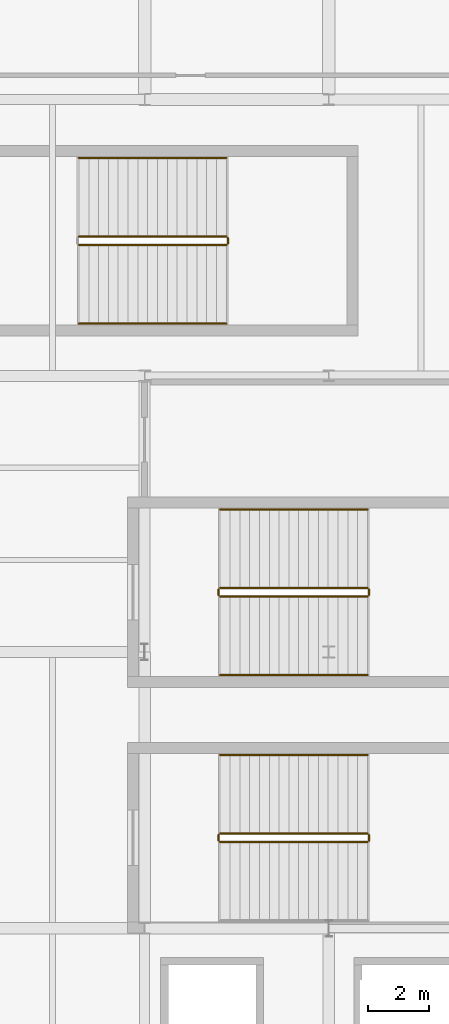
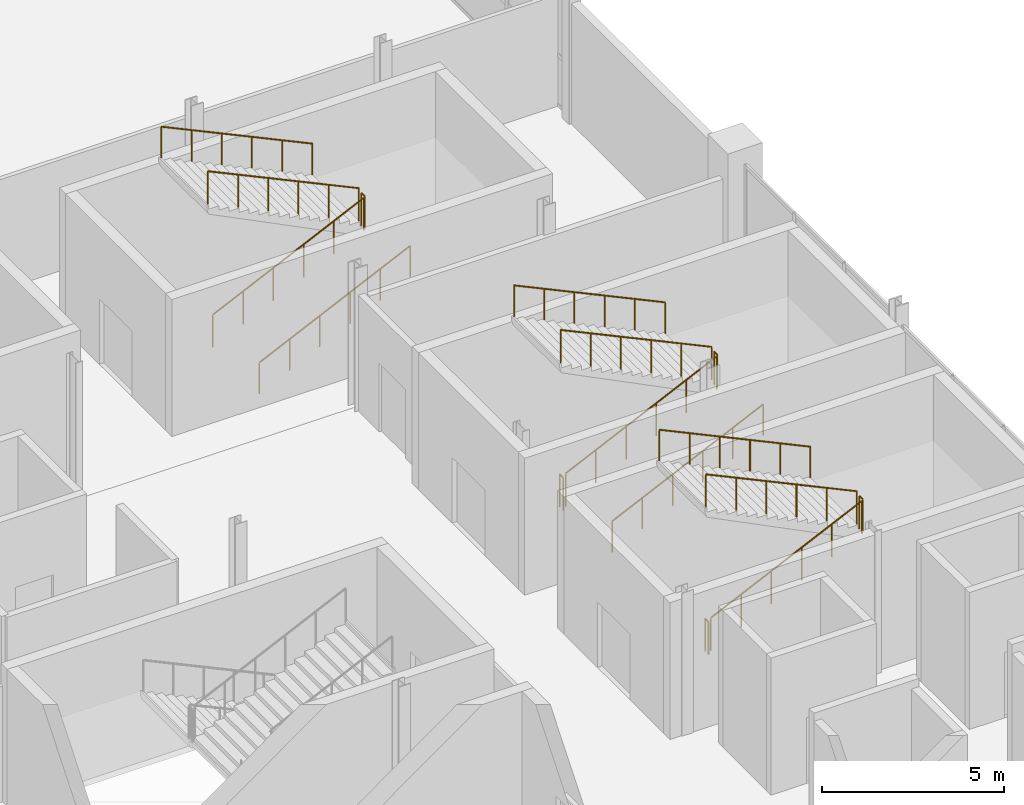
# One storey, part 68 of 69: 16 railings.
"""IFC4 building model written with IfcOpenShell, lengths in metres."""

from ifc_helpers import new_model, si_unit, direction, frame, origin, origin_2d, place, context, subcontext, project, spatial, circle, extrude, material, type_object, element, save


model = new_model("IFC4")

# Units and contexts
model_context = context("Model", 3, precision=1e-05, world=origin(), true_north=direction((0.0, 1.0)))
body_context = subcontext(model_context, "Body", "Model", "MODEL_VIEW")
ifc_project = project(units=[si_unit("LENGTHUNIT", "METRE"), si_unit("AREAUNIT", "SQUARE_METRE"), si_unit("VOLUMEUNIT", "CUBIC_METRE"), si_unit("PLANEANGLEUNIT", "RADIAN"), si_unit("MASSUNIT", "GRAM", prefix="KILO")], contexts=[model_context])

# Site, building, storey
site_placement = place(None, origin())
site = spatial("IfcSite", under=ifc_project, at=site_placement, CompositionType="ELEMENT")
building_placement = place(site_placement, origin())
building = spatial("IfcBuilding", under=site, at=building_placement, Name="Qamarlyn Nura Convention Centre", CompositionType="ELEMENT")
storey_placement = place(building_placement, frame((0.0, 0.0, 15.60009765625)))
storey = spatial("IfcBuildingStorey", under=building, at=storey_placement, Name="L03", CompositionType="ELEMENT", Elevation=15.60009765625)

# Railings
ifc_material = material(Name="Marine Grade 316 stainless steel", Category="steel")
railing_type_1 = type_object("IfcRailingType", Name="GRD-STAIR-112", PredefinedType="BALUSTRADE", material=ifc_material)
railing_1_placement = place(storey_placement, frame((182.4599609375, 65.81005859375, 0.14990234375)))
element("IfcRailing", 1, at=railing_1_placement, inside=storey, type_object=railing_type_1, Name="L03 ST-13 stair guard 1", PredefinedType="BALUSTRADE", context=body_context, shape_type="SweptSolid", body=[
    extrude(circle(Radius=0.02392578125, at=origin_2d()), frame((0.0, 0.0, 1.09619140625), z_axis=(0.90546059521, 0.0, 0.424430336476), x_axis=(0.0, 1.0, 0.0)), (0.0, 0.0, 1.0), 5.30126953125),
    extrude(circle(Radius=0.02099609375, at=origin_2d()), origin(), (0.0, 0.0, 1.0), 1.070068359375),
    extrude(circle(Radius=0.02099609375, at=origin_2d()), frame((0.9599609375, 0.0, 0.449951171875)), (0.0, 0.0, 1.0), 1.070068359375),
    extrude(circle(Radius=0.02099609375, at=origin_2d()), frame((1.919921875, 0.0, 0.89990234375)), (0.0, 0.0, 1.0), 1.070068359375),
    extrude(circle(Radius=0.02099609375, at=origin_2d()), frame((2.880126953125, 0.0, 1.35009765625)), (0.0, 0.0, 1.0), 1.070068359375),
    extrude(circle(Radius=0.02099609375, at=origin_2d()), frame((3.840087890625, 0.0, 1.800048828125)), (0.0, 0.0, 1.0), 1.070068359375),
    extrude(circle(Radius=0.02099609375, at=origin_2d()), frame((4.800048828125, 0.0, 2.25)), (0.0, 0.0, 1.0), 1.070068359375),
])
railing_2_placement = place(storey_placement, frame((187.31005859375, 65.860107421875, 2.39990234375)))
element("IfcRailing", 2, at=railing_2_placement, inside=storey, type_object=railing_type_1, Name="L03 ST-13 stair guard 2", PredefinedType="BALUSTRADE", context=body_context, shape_type="SweptSolid", body=[
    extrude(circle(Radius=0.02392578125, at=origin_2d()), frame((0.0, 0.0, 1.09619140625), z_axis=(0.0, 1.0, 0.0), x_axis=(-1.0, 0.0, 0.0)), (0.0, 0.0, 1.0), 0.179931640625),
    extrude(circle(Radius=0.02099609375, at=origin_2d()), origin(), (0.0, 0.0, 1.0), 1.070068359375),
    extrude(circle(Radius=0.02099609375, at=origin_2d()), frame((0.0, 0.179931640625, 0.0)), (0.0, 0.0, 1.0), 1.070068359375),
])
railing_3_placement = place(storey_placement, frame((187.260009765625, 66.090087890625, 2.5498046875)))
element("IfcRailing", 3, at=railing_3_placement, inside=storey, type_object=railing_type_1, Name="L03 ST-13 stair guard 3", PredefinedType="BALUSTRADE", context=body_context, shape_type="SweptSolid", body=[
    extrude(circle(Radius=0.02392578125, at=origin_2d()), frame((0.0, 0.0, 1.09619140625), z_axis=(-0.90546059521, 0.0, 0.424430336476), x_axis=(0.0, -1.0, 0.0)), (0.0, 0.0, 1.0), 5.30126953125),
    extrude(circle(Radius=0.02099609375, at=origin_2d()), origin(), (0.0, 0.0, 1.0), 1.070068359375),
    extrude(circle(Radius=0.02099609375, at=origin_2d()), frame((-0.9599609375, 0.0, 0.449951171875)), (0.0, 0.0, 1.0), 1.070068359375),
    extrude(circle(Radius=0.02099609375, at=origin_2d()), frame((-1.919921875, 0.0, 0.89990234375)), (0.0, 0.0, 1.0), 1.070068359375),
    extrude(circle(Radius=0.02099609375, at=origin_2d()), frame((-2.880126953125, 0.0, 1.35009765625)), (0.0, 0.0, 1.0), 1.070068359375),
    extrude(circle(Radius=0.02099609375, at=origin_2d()), frame((-3.840087890625, 0.0, 1.800048828125)), (0.0, 0.0, 1.0), 1.070068359375),
    extrude(circle(Radius=0.02099609375, at=origin_2d()), frame((-4.800048828125, 0.0, 2.25)), (0.0, 0.0, 1.0), 1.070068359375),
])
railing_4_placement = place(storey_placement, frame((182.409912109375, 65.860107421875, 0.0)))
element("IfcRailing", 4, at=railing_4_placement, inside=storey, type_object=railing_type_1, Name="L03 ST-13 stair guard 4", PredefinedType="BALUSTRADE", context=body_context, shape_type="SweptSolid", body=[
    extrude(circle(Radius=0.02392578125, at=origin_2d()), frame((0.0, 0.0, 1.09619140625), z_axis=(0.0, 1.0, 0.0), x_axis=(-1.0, 0.0, 0.0)), (0.0, 0.0, 1.0), 0.179931640625),
    extrude(circle(Radius=0.02099609375, at=origin_2d()), origin(), (0.0, 0.0, 1.0), 1.070068359375),
    extrude(circle(Radius=0.02099609375, at=origin_2d()), frame((0.0, 0.179931640625, 0.0)), (0.0, 0.0, 1.0), 1.070068359375),
])
railing_5_placement = place(storey_placement, frame((182.4599609375, 73.81005859375, 0.14990234375)))
element("IfcRailing", 5, at=railing_5_placement, inside=storey, type_object=railing_type_1, Name="L03 ST-14 stair guard 1", PredefinedType="BALUSTRADE", context=body_context, shape_type="SweptSolid", body=[
    extrude(circle(Radius=0.02392578125, at=origin_2d()), frame((0.0, 0.0, 1.09619140625), z_axis=(0.90546059521, 0.0, 0.424430336476), x_axis=(0.0, 1.0, 0.0)), (0.0, 0.0, 1.0), 5.30126953125),
    extrude(circle(Radius=0.02099609375, at=origin_2d()), origin(), (0.0, 0.0, 1.0), 1.070068359375),
    extrude(circle(Radius=0.02099609375, at=origin_2d()), frame((0.9599609375, 0.0, 0.449951171875)), (0.0, 0.0, 1.0), 1.070068359375),
    extrude(circle(Radius=0.02099609375, at=origin_2d()), frame((1.919921875, 0.0, 0.89990234375)), (0.0, 0.0, 1.0), 1.070068359375),
    extrude(circle(Radius=0.02099609375, at=origin_2d()), frame((2.880126953125, 0.0, 1.35009765625)), (0.0, 0.0, 1.0), 1.070068359375),
    extrude(circle(Radius=0.02099609375, at=origin_2d()), frame((3.840087890625, 0.0, 1.800048828125)), (0.0, 0.0, 1.0), 1.070068359375),
    extrude(circle(Radius=0.02099609375, at=origin_2d()), frame((4.800048828125, 0.0, 2.25)), (0.0, 0.0, 1.0), 1.070068359375),
])
railing_6_placement = place(storey_placement, frame((187.31005859375, 73.860107421875, 2.39990234375)))
element("IfcRailing", 6, at=railing_6_placement, inside=storey, type_object=railing_type_1, Name="L03 ST-14 stair guard 2", PredefinedType="BALUSTRADE", context=body_context, shape_type="SweptSolid", body=[
    extrude(circle(Radius=0.02392578125, at=origin_2d()), frame((0.0, 0.0, 1.09619140625), z_axis=(0.0, 1.0, 0.0), x_axis=(-1.0, 0.0, 0.0)), (0.0, 0.0, 1.0), 0.179931640625),
    extrude(circle(Radius=0.02099609375, at=origin_2d()), origin(), (0.0, 0.0, 1.0), 1.070068359375),
    extrude(circle(Radius=0.02099609375, at=origin_2d()), frame((0.0, 0.179931640625, 0.0)), (0.0, 0.0, 1.0), 1.070068359375),
])
railing_7_placement = place(storey_placement, frame((187.260009765625, 74.090087890625, 2.5498046875)))
element("IfcRailing", 7, at=railing_7_placement, inside=storey, type_object=railing_type_1, Name="L03 ST-14 stair guard 3", PredefinedType="BALUSTRADE", context=body_context, shape_type="SweptSolid", body=[
    extrude(circle(Radius=0.02392578125, at=origin_2d()), frame((0.0, 0.0, 1.09619140625), z_axis=(-0.90546059521, 0.0, 0.424430336476), x_axis=(0.0, -1.0, 0.0)), (0.0, 0.0, 1.0), 5.30126953125),
    extrude(circle(Radius=0.02099609375, at=origin_2d()), origin(), (0.0, 0.0, 1.0), 1.070068359375),
    extrude(circle(Radius=0.02099609375, at=origin_2d()), frame((-0.9599609375, 0.0, 0.449951171875)), (0.0, 0.0, 1.0), 1.070068359375),
    extrude(circle(Radius=0.02099609375, at=origin_2d()), frame((-1.919921875, 0.0, 0.89990234375)), (0.0, 0.0, 1.0), 1.070068359375),
    extrude(circle(Radius=0.02099609375, at=origin_2d()), frame((-2.880126953125, 0.0, 1.35009765625)), (0.0, 0.0, 1.0), 1.070068359375),
    extrude(circle(Radius=0.02099609375, at=origin_2d()), frame((-3.840087890625, 0.0, 1.800048828125)), (0.0, 0.0, 1.0), 1.070068359375),
    extrude(circle(Radius=0.02099609375, at=origin_2d()), frame((-4.800048828125, 0.0, 2.25)), (0.0, 0.0, 1.0), 1.070068359375),
])
railing_8_placement = place(storey_placement, frame((182.409912109375, 73.860107421875, 0.0)))
element("IfcRailing", 8, at=railing_8_placement, inside=storey, type_object=railing_type_1, Name="L03 ST-14 stair guard 4", PredefinedType="BALUSTRADE", context=body_context, shape_type="SweptSolid", body=[
    extrude(circle(Radius=0.02392578125, at=origin_2d()), frame((0.0, 0.0, 1.09619140625), z_axis=(0.0, 1.0, 0.0), x_axis=(-1.0, 0.0, 0.0)), (0.0, 0.0, 1.0), 0.179931640625),
    extrude(circle(Radius=0.02099609375, at=origin_2d()), origin(), (0.0, 0.0, 1.0), 1.070068359375),
    extrude(circle(Radius=0.02099609375, at=origin_2d()), frame((0.0, 0.179931640625, 0.0)), (0.0, 0.0, 1.0), 1.070068359375),
])
railing_9_placement = place(storey_placement, frame((177.860107421875, 85.260009765625, 0.14990234375)))
element("IfcRailing", 9, at=railing_9_placement, inside=storey, type_object=railing_type_1, Name="L03 ST-17 stair guard 1", PredefinedType="BALUSTRADE", context=body_context, shape_type="SweptSolid", body=[
    extrude(circle(Radius=0.02392578125, at=origin_2d()), frame((0.0, 0.0, 1.09619140625), z_axis=(0.905452298538, 0.0, 0.424448035774), x_axis=(0.0, 1.0, 0.0)), (0.0, 0.0, 1.0), 5.301025390625),
    extrude(circle(Radius=0.02099609375, at=origin_2d()), origin(), (0.0, 0.0, 1.0), 1.070068359375),
    extrude(circle(Radius=0.02099609375, at=origin_2d()), frame((0.9599609375, 0.0, 0.449951171875)), (0.0, 0.0, 1.0), 1.070068359375),
    extrude(circle(Radius=0.02099609375, at=origin_2d()), frame((1.919921875, 0.0, 0.89990234375)), (0.0, 0.0, 1.0), 1.070068359375),
    extrude(circle(Radius=0.02099609375, at=origin_2d()), frame((2.8798828125, 0.0, 1.35009765625)), (0.0, 0.0, 1.0), 1.070068359375),
    extrude(circle(Radius=0.02099609375, at=origin_2d()), frame((3.83984375, 0.0, 1.800048828125)), (0.0, 0.0, 1.0), 1.070068359375),
    extrude(circle(Radius=0.02099609375, at=origin_2d()), frame((4.7998046875, 0.0, 2.25)), (0.0, 0.0, 1.0), 1.070068359375),
])
railing_10_placement = place(storey_placement, frame((182.7099609375, 85.31005859375, 2.39990234375)))
element("IfcRailing", 10, at=railing_10_placement, inside=storey, type_object=railing_type_1, Name="L03 ST-17 stair guard 2", PredefinedType="BALUSTRADE", context=body_context, shape_type="SweptSolid", body=[
    extrude(circle(Radius=0.02392578125, at=origin_2d()), frame((0.0, 0.0, 1.09619140625), z_axis=(0.0, 1.0, 0.0), x_axis=(-1.0, 0.0, 0.0)), (0.0, 0.0, 1.0), 0.179931640625),
    extrude(circle(Radius=0.02099609375, at=origin_2d()), origin(), (0.0, 0.0, 1.0), 1.070068359375),
    extrude(circle(Radius=0.02099609375, at=origin_2d()), frame((0.0, 0.179931640625, 0.0)), (0.0, 0.0, 1.0), 1.070068359375),
])
railing_11_placement = place(storey_placement, frame((182.659912109375, 85.5400390625, 2.5498046875)))
element("IfcRailing", 11, at=railing_11_placement, inside=storey, type_object=railing_type_1, Name="L03 ST-17 stair guard 3", PredefinedType="BALUSTRADE", context=body_context, shape_type="SweptSolid", body=[
    extrude(circle(Radius=0.02392578125, at=origin_2d()), frame((0.0, 0.0, 1.09619140625), z_axis=(-0.905452298538, 0.0, 0.424448035774), x_axis=(0.0, -1.0, 0.0)), (0.0, 0.0, 1.0), 5.301025390625),
    extrude(circle(Radius=0.02099609375, at=origin_2d()), origin(), (0.0, 0.0, 1.0), 1.070068359375),
    extrude(circle(Radius=0.02099609375, at=origin_2d()), frame((-0.9599609375, 0.0, 0.449951171875)), (0.0, 0.0, 1.0), 1.070068359375),
    extrude(circle(Radius=0.02099609375, at=origin_2d()), frame((-1.919921875, 0.0, 0.89990234375)), (0.0, 0.0, 1.0), 1.070068359375),
    extrude(circle(Radius=0.02099609375, at=origin_2d()), frame((-2.8798828125, 0.0, 1.35009765625)), (0.0, 0.0, 1.0), 1.070068359375),
    extrude(circle(Radius=0.02099609375, at=origin_2d()), frame((-3.83984375, 0.0, 1.800048828125)), (0.0, 0.0, 1.0), 1.070068359375),
    extrude(circle(Radius=0.02099609375, at=origin_2d()), frame((-4.7998046875, 0.0, 2.25)), (0.0, 0.0, 1.0), 1.070068359375),
])
railing_type_2 = type_object("IfcRailingType", Name="HRL-STAIR-090", PredefinedType="HANDRAIL", material=ifc_material)
railing_12_placement = place(storey_placement, frame((187.260009765625, 68.64990234375, 2.7021484375)))
element("IfcRailing", 12, at=railing_12_placement, inside=storey, type_object=railing_type_2, Name="L03 ST-13 stair handrail 2", PredefinedType="HANDRAIL", context=body_context, shape_type="SweptSolid", body=[
    extrude(circle(Radius=0.02392578125, at=origin_2d()), frame((0.0, 0.0, 0.88818359375), z_axis=(-0.90546059521, 0.0, 0.424430336476), x_axis=(0.0, -1.0, 0.0)), (0.0, 0.0, 1.0), 5.30126953125),
    extrude(circle(Radius=0.02099609375, at=origin_2d()), frame((0.0, 0.0, -0.155029296875)), (0.0, 0.0, 1.0), 1.01708984375),
    extrude(circle(Radius=0.02099609375, at=origin_2d()), frame((-0.9599609375, 0.0, 0.294921875)), (0.0, 0.0, 1.0), 1.01708984375),
    extrude(circle(Radius=0.02099609375, at=origin_2d()), frame((-1.919921875, 0.0, 0.744873046875)), (0.0, 0.0, 1.0), 1.01708984375),
    extrude(circle(Radius=0.02099609375, at=origin_2d()), frame((-2.880126953125, 0.0, 1.195068359375)), (0.0, 0.0, 1.0), 1.01708984375),
    extrude(circle(Radius=0.02099609375, at=origin_2d()), frame((-3.840087890625, 0.0, 1.64501953125)), (0.0, 0.0, 1.0), 1.01708984375),
    extrude(circle(Radius=0.02099609375, at=origin_2d()), frame((-4.800048828125, 0.0, 2.094970703125)), (0.0, 0.0, 1.0), 1.01708984375),
])
railing_13_placement = place(storey_placement, frame((182.4599609375, 71.25, 0.30224609375)))
element("IfcRailing", 13, at=railing_13_placement, inside=storey, type_object=railing_type_2, Name="L03 ST-14 stair handrail 1", PredefinedType="HANDRAIL", context=body_context, shape_type="SweptSolid", body=[
    extrude(circle(Radius=0.02392578125, at=origin_2d()), frame((0.0, 0.0, 0.88818359375), z_axis=(0.90546059521, 0.0, 0.424430336476), x_axis=(0.0, 1.0, 0.0)), (0.0, 0.0, 1.0), 5.30126953125),
    extrude(circle(Radius=0.02099609375, at=origin_2d()), frame((0.0, 0.0, -0.155029296875)), (0.0, 0.0, 1.0), 1.01708984375),
    extrude(circle(Radius=0.02099609375, at=origin_2d()), frame((0.9599609375, 0.0, 0.294921875)), (0.0, 0.0, 1.0), 1.01708984375),
    extrude(circle(Radius=0.02099609375, at=origin_2d()), frame((1.919921875, 0.0, 0.744873046875)), (0.0, 0.0, 1.0), 1.01708984375),
    extrude(circle(Radius=0.02099609375, at=origin_2d()), frame((2.880126953125, 0.0, 1.195068359375)), (0.0, 0.0, 1.0), 1.01708984375),
    extrude(circle(Radius=0.02099609375, at=origin_2d()), frame((3.840087890625, 0.0, 1.64501953125)), (0.0, 0.0, 1.0), 1.01708984375),
    extrude(circle(Radius=0.02099609375, at=origin_2d()), frame((4.800048828125, 0.0, 2.094970703125)), (0.0, 0.0, 1.0), 1.01708984375),
])
railing_14_placement = place(storey_placement, frame((187.260009765625, 76.64990234375, 2.7021484375)))
element("IfcRailing", 14, at=railing_14_placement, inside=storey, type_object=railing_type_2, Name="L03 ST-14 stair handrail 2", PredefinedType="HANDRAIL", context=body_context, shape_type="SweptSolid", body=[
    extrude(circle(Radius=0.02392578125, at=origin_2d()), frame((0.0, 0.0, 0.88818359375), z_axis=(-0.90546059521, 0.0, 0.424430336476), x_axis=(0.0, -1.0, 0.0)), (0.0, 0.0, 1.0), 5.30126953125),
    extrude(circle(Radius=0.02099609375, at=origin_2d()), frame((0.0, 0.0, -0.155029296875)), (0.0, 0.0, 1.0), 1.01708984375),
    extrude(circle(Radius=0.02099609375, at=origin_2d()), frame((-0.9599609375, 0.0, 0.294921875)), (0.0, 0.0, 1.0), 1.01708984375),
    extrude(circle(Radius=0.02099609375, at=origin_2d()), frame((-1.919921875, 0.0, 0.744873046875)), (0.0, 0.0, 1.0), 1.01708984375),
    extrude(circle(Radius=0.02099609375, at=origin_2d()), frame((-2.880126953125, 0.0, 1.195068359375)), (0.0, 0.0, 1.0), 1.01708984375),
    extrude(circle(Radius=0.02099609375, at=origin_2d()), frame((-3.840087890625, 0.0, 1.64501953125)), (0.0, 0.0, 1.0), 1.01708984375),
    extrude(circle(Radius=0.02099609375, at=origin_2d()), frame((-4.800048828125, 0.0, 2.094970703125)), (0.0, 0.0, 1.0), 1.01708984375),
])
railing_15_placement = place(storey_placement, frame((177.860107421875, 82.699951171875, 0.30224609375)))
element("IfcRailing", 15, at=railing_15_placement, inside=storey, type_object=railing_type_2, Name="L03 ST-17 stair handrail 1", PredefinedType="HANDRAIL", context=body_context, shape_type="SweptSolid", body=[
    extrude(circle(Radius=0.02392578125, at=origin_2d()), frame((0.0, 0.0, 0.88818359375), z_axis=(0.905452298538, 0.0, 0.424448035774), x_axis=(0.0, 1.0, 0.0)), (0.0, 0.0, 1.0), 5.301025390625),
    extrude(circle(Radius=0.02099609375, at=origin_2d()), frame((0.0, 0.0, -0.155029296875)), (0.0, 0.0, 1.0), 1.01708984375),
    extrude(circle(Radius=0.02099609375, at=origin_2d()), frame((0.9599609375, 0.0, 0.294921875)), (0.0, 0.0, 1.0), 1.01708984375),
    extrude(circle(Radius=0.02099609375, at=origin_2d()), frame((1.919921875, 0.0, 0.744873046875)), (0.0, 0.0, 1.0), 1.01708984375),
    extrude(circle(Radius=0.02099609375, at=origin_2d()), frame((2.8798828125, 0.0, 1.195068359375)), (0.0, 0.0, 1.0), 1.01708984375),
    extrude(circle(Radius=0.02099609375, at=origin_2d()), frame((3.83984375, 0.0, 1.64501953125)), (0.0, 0.0, 1.0), 1.01708984375),
    extrude(circle(Radius=0.02099609375, at=origin_2d()), frame((4.7998046875, 0.0, 2.094970703125)), (0.0, 0.0, 1.0), 1.01708984375),
])
railing_16_placement = place(storey_placement, frame((182.659912109375, 88.10009765625, 2.7021484375)))
element("IfcRailing", 16, at=railing_16_placement, inside=storey, type_object=railing_type_2, Name="L03 ST-17 stair handrail 2", PredefinedType="HANDRAIL", context=body_context, shape_type="SweptSolid", body=[
    extrude(circle(Radius=0.02392578125, at=origin_2d()), frame((0.0, 0.0, 0.88818359375), z_axis=(-0.905452298538, 0.0, 0.424448035774), x_axis=(0.0, -1.0, 0.0)), (0.0, 0.0, 1.0), 5.301025390625),
    extrude(circle(Radius=0.02099609375, at=origin_2d()), frame((0.0, 0.0, -0.155029296875)), (0.0, 0.0, 1.0), 1.01708984375),
    extrude(circle(Radius=0.02099609375, at=origin_2d()), frame((-0.9599609375, 0.0, 0.294921875)), (0.0, 0.0, 1.0), 1.01708984375),
    extrude(circle(Radius=0.02099609375, at=origin_2d()), frame((-1.919921875, 0.0, 0.744873046875)), (0.0, 0.0, 1.0), 1.01708984375),
    extrude(circle(Radius=0.02099609375, at=origin_2d()), frame((-2.8798828125, 0.0, 1.195068359375)), (0.0, 0.0, 1.0), 1.01708984375),
    extrude(circle(Radius=0.02099609375, at=origin_2d()), frame((-3.83984375, 0.0, 1.64501953125)), (0.0, 0.0, 1.0), 1.01708984375),
    extrude(circle(Radius=0.02099609375, at=origin_2d()), frame((-4.7998046875, 0.0, 2.094970703125)), (0.0, 0.0, 1.0), 1.01708984375),
])

save(model, "model.ifc")
